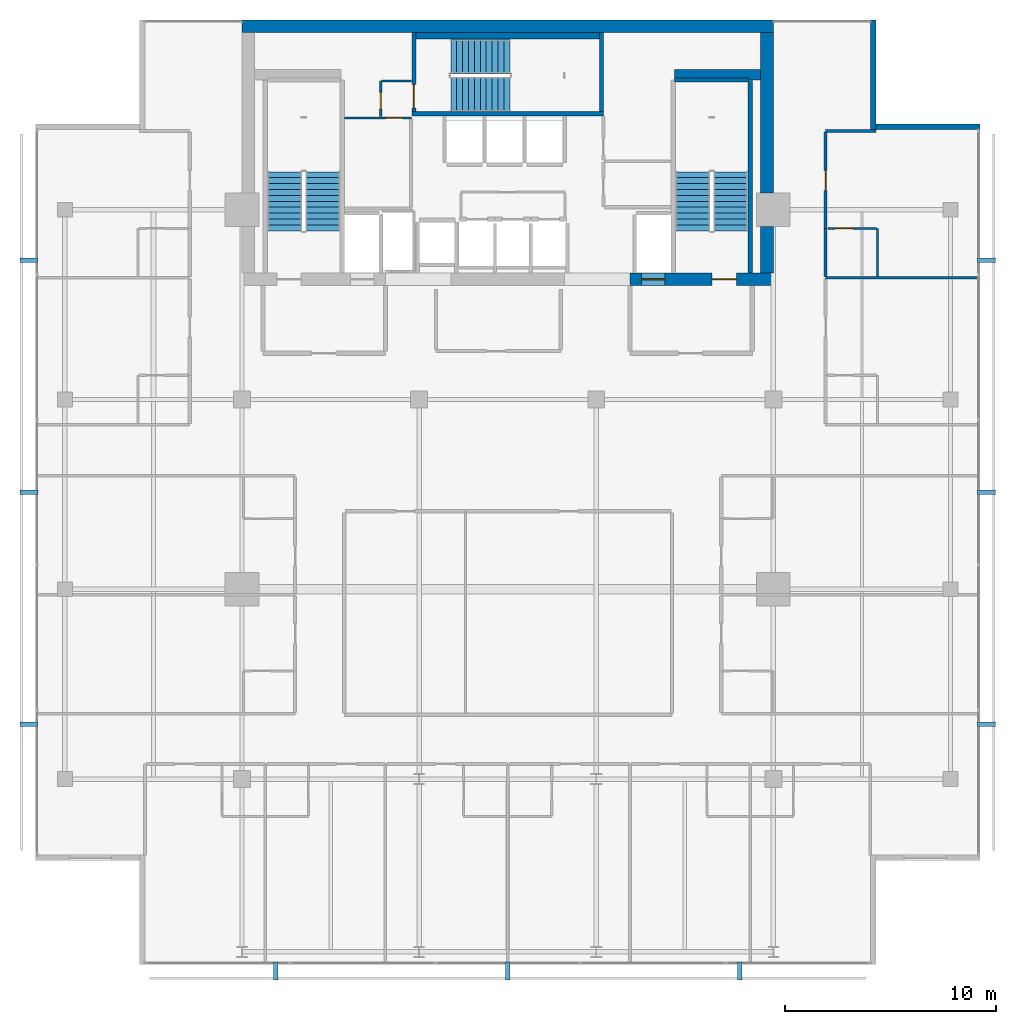
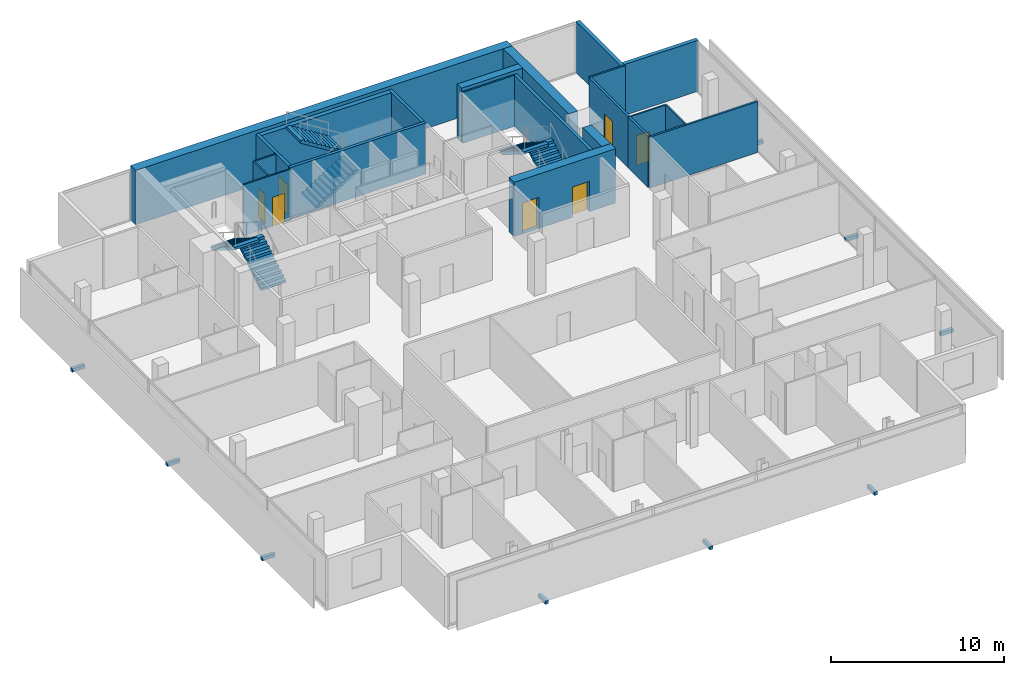
# One storey, part 23 of 25: 22 walls, 9 discrete accessories, 7 doors, 6 stair flights, 7 openings, 3 elements without a shape of their own.
"""IFC4 building model written with IfcOpenShell, lengths in metres."""

from ifc_helpers import new_model, si_unit, direction, frame, frame_2d, origin, origin_2d, place, context, subcontext, project, spatial, polyline, rectangle, outline, extrude, material, layer, layer_set, type_object, element, fill, aggregate, save


model = new_model("IFC4")

# Units and contexts
model_context = context("Model", 3, precision=1e-05, world=origin(), true_north=direction((0.0, 1.0)))
body_context = subcontext(model_context, "Body", "Model", "MODEL_VIEW")
ifc_project = project(units=[si_unit("LENGTHUNIT", "METRE"), si_unit("AREAUNIT", "SQUARE_METRE"), si_unit("VOLUMEUNIT", "CUBIC_METRE"), si_unit("PLANEANGLEUNIT", "RADIAN"), si_unit("MASSUNIT", "GRAM", prefix="KILO")], contexts=[model_context])

# Site, building, storey
site_placement = place(None, origin())
site = spatial("IfcSite", under=ifc_project, at=site_placement, CompositionType="ELEMENT")
building_placement = place(site_placement, origin())
building = spatial("IfcBuilding", under=site, at=building_placement, Name="Maruvema Waterfront Hotel and Observation Tower", CompositionType="ELEMENT")
storey_placement = place(building_placement, frame((0.0, 0.0, 247.10009765625)))
storey = spatial("IfcBuildingStorey", under=building, at=storey_placement, Name="L60", CompositionType="ELEMENT", Elevation=247.10009765625)

# Wall
ifc_material_1 = material(Name="Twin-stud acoustic gypsum drywall", Category="gypsum")
ifc_layer_1 = layer(ifc_material_1, 0.14990234375, Name="Acoustic Corridor and Suite Demising Wall 150 mm")
ifc_layer_set_1 = layer_set([ifc_layer_1], Name="Twin-stud acoustic gypsum drywall")
wall_type_1 = type_object("IfcWallType", Name="Acoustic Corridor and Suite Demising Wall 150 mm", PredefinedType="PARTITIONING", material=ifc_layer_set_1)
wall_1_placement = place(storey_placement, frame((52.8798828125, 41.82861328125, 0.0), z_axis=(0.0, 0.0, 1.0), x_axis=(0.0, 1.0, 0.0)))
element("IfcWall", 1, at=wall_1_placement, inside=storey, type_object=wall_type_1, Name="L60 Bath L60-NE2 Wall 102", PredefinedType="PARTITIONING", context=body_context, shape_type="SweptSolid", body=[
    extrude(rectangle(XDim=2.2900390625, YDim=0.14990234375, at=frame_2d((1.14501953125, 0.0))), origin(), (0.0, 0.0, 1.0), 3.60986328125),
])

# Wall, opening, door
wall_2_placement = place(storey_placement, frame((52.8798828125, 44.11865234375, 0.0), z_axis=(0.0, 0.0, 1.0), x_axis=(0.0, 1.0, 0.0)))
wall_2 = element("IfcWall", 2, at=wall_2_placement, inside=storey, type_object=wall_type_1, Name="L60 Room L60-NE2 Corridor Wall 103", PredefinedType="PARTITIONING", context=body_context, shape_type="SweptSolid", body=[
    extrude(rectangle(XDim=4.558837890625, YDim=0.14990234375, at=frame_2d((2.279296875, 0.0))), origin(), (0.0, 0.0, 1.0), 3.60986328125),
])
opening_1_placement = place(wall_2_placement, frame((1.804443359375, 0.0, 0.0)))
opening_1 = element("IfcOpeningElement", 3, at=opening_1_placement, cuts=wall_2, Name="Opening DR-095", PredefinedType="OPENING", context=body_context, shape_type="SweptSolid", body=[
    extrude(rectangle(XDim=0.949951171875, YDim=2.14990234375, at=frame_2d((0.47509765625, 1.074951171875))), frame((0.0, 0.0849609375, 0.0), z_axis=(0.0, -1.0, 0.0), x_axis=(1.0, 0.0, 0.0)), (0.0, 0.0, 1.0), 0.169921875),
])
ifc_material_2 = material(Name="Acoustic solid-core hardwood timber leaf", Category="wood")
door_type_1 = type_object("IfcDoorType", Name="Guestroom Entrance Fire Door 950x2150 mm", OperationType="NOTDEFINED", PredefinedType="DOOR", material=ifc_material_2)
door_1_placement = place(opening_1_placement, frame((0.949951171875, 0.0, 0.0), z_axis=(0.0, 0.0, 1.0), x_axis=(-1.0, 0.0, 0.0)))
door_1 = element("IfcDoor", 4, at=door_1_placement, inside=storey, type_object=door_type_1, Name="L60 Room L60-NE2 Entrance Door", OperationType="SINGLE_SWING_RIGHT", OverallHeight=2.14990234375, OverallWidth=0.949951171875, PredefinedType="DOOR", context=body_context, shape_type="SweptSolid", body=[
    extrude(rectangle(XDim=0.949951171875, YDim=2.14990234375, at=frame_2d((0.47509765625, 1.074951171875))), frame((0.0, 0.02490234375, 0.0), z_axis=(0.0, -1.0, 0.0), x_axis=(1.0, 0.0, 0.0)), (0.0, 0.0, 1.0), 0.050048828125),
])
fill(opening_1, door_1)

# Walls
ifc_material_3 = material(Name="Precast concrete C45/55", Category="concrete")
ifc_layer_2 = layer(ifc_material_3, 0.300048828125, Name="Core Shaft Furring Wall 300 mm")
ifc_layer_set_2 = layer_set([ifc_layer_2], Name="Precast concrete C45/55")
wall_type_2 = type_object("IfcWallType", Name="Core Shaft Furring Wall 300 mm", PredefinedType="SOLIDWALL", material=ifc_layer_set_2)
wall_3_placement = place(storey_placement, frame((33.449951171875, 53.25, 0.0), z_axis=(0.0, 0.0, 1.0), x_axis=(1.0, 0.0, 0.0)))
element("IfcWall", 5, at=wall_3_placement, inside=storey, type_object=wall_type_2, Name="L60 Stairwell ST-02 North Furring Wall", PredefinedType="SOLIDWALL", context=body_context, shape_type="SweptSolid", body=[
    extrude(rectangle(XDim=8.699951171875, YDim=0.300048828125, at=frame_2d((4.35009765625, 0.0))), origin(), (0.0, 0.0, 1.0), 3.60986328125),
])
ifc_material_4 = material(Name="Precast concrete C45/55", Category="concrete")
ifc_layer_3 = layer(ifc_material_4, 0.199951171875, Name="Core Shaft and Stairwell Enclosure Wall 200 mm")
ifc_layer_set_3 = layer_set([ifc_layer_3], Name="Precast concrete C45/55")
wall_type_3 = type_object("IfcWallType", Name="Core Shaft and Stairwell Enclosure Wall 200 mm", PredefinedType="SOLIDWALL", material=ifc_layer_set_3)
wall_4_placement = place(storey_placement, frame((33.25, 49.550048828125, 0.0), z_axis=(0.0, 0.0, 1.0), x_axis=(1.0, 0.0, 0.0)))
element("IfcWall", 6, at=wall_4_placement, inside=storey, type_object=wall_type_3, Name="L60 Stairwell ST-02 Shaft Wall", PredefinedType="SOLIDWALL", context=body_context, shape_type="SweptSolid", body=[
    extrude(rectangle(XDim=9.10009765625, YDim=0.199951171875, at=frame_2d((4.550048828125, 0.0))), origin(), (0.0, 0.0, 1.0), 3.60986328125),
])
wall_5_placement = place(storey_placement, frame((42.25, 49.64990234375, 0.0), z_axis=(0.0, 0.0, 1.0), x_axis=(0.0, 1.0, 0.0)))
element("IfcWall", 7, at=wall_5_placement, inside=storey, type_object=wall_type_3, Name="L60 Stairwell ST-02 Shaft Wall", PredefinedType="SOLIDWALL", context=body_context, shape_type="SweptSolid", body=[
    extrude(rectangle(XDim=3.75, YDim=0.199951171875, at=frame_2d((1.875, 0.0))), origin(), (0.0, 0.0, 1.0), 3.60986328125),
])

# Wall, opening, door
wall_6_placement = place(storey_placement, frame((33.35009765625, 49.64990234375, 0.0), z_axis=(0.0, 0.0, 1.0), x_axis=(0.0, 1.0, 0.0)))
wall_6 = element("IfcWall", 8, at=wall_6_placement, inside=storey, type_object=wall_type_3, Name="L60 Stairwell ST-02 Shaft Wall", PredefinedType="SOLIDWALL", context=body_context, shape_type="SweptSolid", body=[
    extrude(rectangle(XDim=3.75, YDim=0.199951171875, at=frame_2d((1.875, 0.0))), origin(), (0.0, 0.0, 1.0), 3.60986328125),
])
opening_2_placement = place(wall_6_placement, frame((0.179931640625, 0.0, 0.0)))
opening_2 = element("IfcOpeningElement", 9, at=opening_2_placement, cuts=wall_6, Name="Opening SD-02", PredefinedType="OPENING", context=body_context, shape_type="SweptSolid", body=[
    extrude(rectangle(XDim=1.10009765625, YDim=2.14990234375, at=frame_2d((0.550048828125, 1.074951171875))), frame((0.0, 0.10986328125, 0.0), z_axis=(0.0, -1.0, 0.0), x_axis=(1.0, 0.0, 0.0)), (0.0, 0.0, 1.0), 0.219970703125),
])
ifc_material_5 = material(Name="Fire-rated galvanised steel leaf", Category="steel")
door_type_2 = type_object("IfcDoorType", Name="Central Exit Stair Fire Door 1100x2150 mm", OperationType="NOTDEFINED", PredefinedType="DOOR", material=ifc_material_5)
door_2_placement = place(opening_2_placement, frame((1.10009765625, 0.0, 0.0), z_axis=(0.0, 0.0, 1.0), x_axis=(-1.0, 0.0, 0.0)))
door_2 = element("IfcDoor", 10, at=door_2_placement, inside=storey, type_object=door_type_2, Name="L60 Exit Stair ST-02 Fire Door", OperationType="SINGLE_SWING_LEFT", OverallHeight=2.14990234375, OverallWidth=1.10009765625, PredefinedType="DOOR", context=body_context, shape_type="SweptSolid", body=[
    extrude(rectangle(XDim=1.10009765625, YDim=2.14990234375, at=frame_2d((0.550048828125, 1.074951171875))), frame((0.0, 0.02490234375, 0.0), z_axis=(0.0, -1.0, 0.0), x_axis=(1.0, 0.0, 0.0)), (0.0, 0.0, 1.0), 0.050048828125),
])
fill(opening_2, door_2)

# Walls
wall_7_placement = place(storey_placement, frame((49.300048828125, 42.0, 0.0), z_axis=(0.0, 0.0, 1.0), x_axis=(0.0, 1.0, 0.0)))
element("IfcWall", 11, at=wall_7_placement, inside=storey, type_object=wall_type_3, Name="L60 Stairwell ST-03 Shaft Lining Wall", PredefinedType="SOLIDWALL", context=body_context, shape_type="SweptSolid", body=[
    extrude(rectangle(XDim=9.1201171875, YDim=0.199951171875, at=frame_2d((4.56005859375, 0.0))), origin(), (0.0, 0.0, 1.0), 3.60986328125),
])
wall_8_placement = place(storey_placement, frame((45.719970703125, 51.14990234375, 0.0), z_axis=(0.0, 0.0, 1.0), x_axis=(1.0, 0.0, 0.0)))
element("IfcWall", 12, at=wall_8_placement, inside=storey, type_object=wall_type_3, Name="L60 Stairwell ST-03 Shaft Lining Wall", PredefinedType="SOLIDWALL", context=body_context, shape_type="SweptSolid", body=[
    extrude(rectangle(XDim=3.5, YDim=0.199951171875, at=frame_2d((1.75, 0.0))), origin(), (0.0, 0.0, 1.0), 3.60986328125),
])
ifc_material_6 = material(Name="Concrete C70/85", Category="concrete")
ifc_layer_4 = layer(ifc_material_6, 0.5, Name="Core Shear Wall 500 mm")
ifc_layer_set_4 = layer_set([ifc_layer_4], Name="Concrete C70/85")
wall_type_4 = type_object("IfcWallType", Name="Core Shear Wall 500 mm", PredefinedType="SHEAR", material=ifc_layer_set_4)
wall_9_placement = place(storey_placement, frame((45.699951171875, 51.39990234375, 0.0), z_axis=(0.0, 0.0, 1.0), x_axis=(1.0, 0.0, 0.0)))
element("IfcWall", 13, at=wall_9_placement, inside=storey, type_object=wall_type_4, Name="L60 Internal Core Shear Wall NE 500 mm", PredefinedType="SHEAR", context=body_context, shape_type="SweptSolid", body=[
    extrude(rectangle(XDim=4.10009765625, YDim=0.5, at=frame_2d((2.050048828125, 0.0))), origin(), (0.0, 0.0, 1.0), 3.849853515625),
])
ifc_material_7 = material(Name="Concrete C60/75", Category="concrete")
ifc_layer_5 = layer(ifc_material_7, 0.60009765625, Name="Core Shear Wall 600 mm")
ifc_layer_set_5 = layer_set([ifc_layer_5], Name="Concrete C60/75")
wall_type_5 = type_object("IfcWallType", Name="Core Shear Wall 600 mm", PredefinedType="SHEAR", material=ifc_layer_set_5)
wall_10_placement = place(storey_placement, frame((25.199951171875, 53.699951171875, 0.0), z_axis=(0.0, 0.0, 1.0), x_axis=(1.0, 0.0, 0.0)))
element("IfcWall", 14, at=wall_10_placement, inside=storey, type_object=wall_type_5, Name="L60 North Core Shear Wall", PredefinedType="SHEAR", context=body_context, shape_type="SweptSolid", body=[
    extrude(rectangle(XDim=25.199951171875, YDim=0.60009765625, at=frame_2d((12.60009765625, 0.0))), origin(), (0.0, 0.0, 1.0), 3.849853515625),
])

# Wall, openings, doors
wall_11_placement = place(storey_placement, frame((43.60009765625, 41.699951171875, 0.0), z_axis=(0.0, 0.0, 1.0), x_axis=(1.0, 0.0, 0.0)))
wall_11 = element("IfcWall", 15, at=wall_11_placement, inside=storey, type_object=wall_type_5, Name="L60 South-East Core Shear Wall", PredefinedType="SHEAR", context=body_context, shape_type="SweptSolid", body=[
    extrude(rectangle(XDim=6.7998046875, YDim=0.60009765625, at=frame_2d((3.39990234375, 0.0))), origin(), (0.0, 0.0, 1.0), 3.849853515625),
])
opening_3_placement = place(wall_11_placement, frame((3.89990234375, 0.0, 0.0)))
opening_3 = element("IfcOpeningElement", 16, at=opening_3_placement, cuts=wall_11, Name="Opening SD-01", PredefinedType="OPENING", context=body_context, shape_type="SweptSolid", body=[
    extrude(rectangle(XDim=1.14990234375, YDim=2.14990234375, at=frame_2d((0.574951171875, 1.074951171875))), frame((0.0, 0.31005859375, 0.0), z_axis=(0.0, -1.0, 0.0), x_axis=(1.0, 0.0, 0.0)), (0.0, 0.0, 1.0), 0.6201171875),
])
opening_4_placement = place(wall_11_placement, frame((0.550048828125, 0.0, 0.0)))
opening_4 = element("IfcOpeningElement", 17, at=opening_4_placement, cuts=wall_11, Name="Opening LD-03", PredefinedType="OPENING", context=body_context, shape_type="SweptSolid", body=[
    extrude(rectangle(XDim=1.10009765625, YDim=2.199951171875, at=frame_2d((0.550048828125, 1.10009765625))), frame((0.0, 0.31005859375, 0.0), z_axis=(0.0, -1.0, 0.0), x_axis=(1.0, 0.0, 0.0)), (0.0, 0.0, 1.0), 0.6201171875),
])
ifc_material_8 = material(Name="Fire-rated galvanised steel leaf", Category="steel")
door_type_3 = type_object("IfcDoorType", Name="Exit Stair Fire Door 1150x2150 mm", OperationType="NOTDEFINED", PredefinedType="DOOR", material=ifc_material_8)
door_3_placement = place(opening_3_placement, origin())
door_3 = element("IfcDoor", 18, at=door_3_placement, inside=storey, type_object=door_type_3, Name="L60 Exit Stair ST-03 Fire Door", OperationType="SINGLE_SWING_RIGHT", OverallHeight=2.14990234375, OverallWidth=1.14990234375, PredefinedType="DOOR", context=body_context, shape_type="SweptSolid", body=[
    extrude(rectangle(XDim=1.14990234375, YDim=2.14990234375, at=frame_2d((0.574951171875, 1.074951171875))), frame((0.0, 0.02490234375, 0.0), z_axis=(0.0, -1.0, 0.0), x_axis=(1.0, 0.0, 0.0)), (0.0, 0.0, 1.0), 0.050048828125),
])
fill(opening_3, door_3)
ifc_material_9 = material(Name="Brushed stainless steel Grade 316", Category="steel")
door_type_4 = type_object("IfcDoorType", Name="Firefighting Lift Sliding Landing Door 1100x2200 mm", OperationType="SLIDING_TO_LEFT", PredefinedType="DOOR", material=ifc_material_9)
door_4_placement = place(opening_4_placement, frame((1.10009765625, 0.0, 0.0), z_axis=(0.0, 0.0, 1.0), x_axis=(-1.0, 0.0, 0.0)))
door_4 = element("IfcDoor", 19, at=door_4_placement, inside=storey, type_object=door_type_4, Name="L60 Firefighting Lift FL-02 Landing Door", OperationType="SLIDING_TO_LEFT", OverallHeight=2.199951171875, OverallWidth=1.10009765625, PredefinedType="DOOR", context=body_context, shape_type="SweptSolid", body=[
    extrude(rectangle(XDim=1.10009765625, YDim=2.199951171875, at=frame_2d((0.550048828125, 1.10009765625))), frame((0.0, 0.02490234375, 0.0), z_axis=(0.0, -1.0, 0.0), x_axis=(1.0, 0.0, 0.0)), (0.0, 0.0, 1.0), 0.050048828125),
])
fill(opening_4, door_4)

# Walls
wall_12_placement = place(storey_placement, frame((50.10009765625, 42.0, 0.0), z_axis=(0.0, 0.0, 1.0), x_axis=(0.0, 1.0, 0.0)))
element("IfcWall", 20, at=wall_12_placement, inside=storey, type_object=wall_type_5, Name="L60 East-South Core Shear Wall", PredefinedType="SHEAR", context=body_context, shape_type="SweptSolid", body=[
    extrude(rectangle(XDim=2.199951171875, YDim=0.60009765625, at=frame_2d((1.10009765625, 0.0))), origin(), (0.0, 0.0, 1.0), 3.849853515625),
])
wall_13_placement = place(storey_placement, frame((50.10009765625, 45.800048828125, 0.0), z_axis=(0.0, 0.0, 1.0), x_axis=(0.0, 1.0, 0.0)))
element("IfcWall", 21, at=wall_13_placement, inside=storey, type_object=wall_type_5, Name="L60 East-North Core Shear Wall", PredefinedType="SHEAR", context=body_context, shape_type="SweptSolid", body=[
    extrude(rectangle(XDim=7.599853515625, YDim=0.60009765625, at=frame_2d((3.7998046875, 0.0))), origin(), (0.0, 0.0, 1.0), 3.849853515625),
])

# Wall, opening, door
ifc_material_10 = material(Name="Moisture-resistant cement-board drywall", Category="gypsum")
ifc_layer_6 = layer(ifc_material_10, 0.10009765625, Name="En-Suite Moisture-Resistant Partition 100 mm")
ifc_layer_set_6 = layer_set([ifc_layer_6], Name="Moisture-resistant cement-board drywall")
wall_type_6 = type_object("IfcWallType", Name="En-Suite Moisture-Resistant Partition 100 mm", PredefinedType="PARTITIONING", material=ifc_layer_set_6)
wall_14_placement = place(storey_placement, frame((30.06005859375, 49.360107421875, 0.0), z_axis=(0.0, 0.0, 1.0), x_axis=(1.0, 0.0, 0.0)))
wall_14 = element("IfcWall", 22, at=wall_14_placement, inside=storey, type_object=wall_type_6, Name="L60 Freed B1 Mid Wall 015", PredefinedType="PARTITIONING", context=body_context, shape_type="SweptSolid", body=[
    extrude(rectangle(XDim=3.179931640625, YDim=0.10009765625, at=frame_2d((1.58984375, 0.0))), origin(), (0.0, 0.0, 1.0), 3.60986328125),
])
opening_5_placement = place(wall_14_placement, frame((1.949951171875, 0.0, 0.0)))
opening_5 = element("IfcOpeningElement", 23, at=opening_5_placement, cuts=wall_14, Name="Opening DR-080", PredefinedType="OPENING", context=body_context, shape_type="SweptSolid", body=[
    extrude(rectangle(XDim=0.800048828125, YDim=2.050048828125, at=frame_2d((0.39990234375, 1.02490234375))), frame((0.0, 0.06005859375, 0.0), z_axis=(0.0, -1.0, 0.0), x_axis=(1.0, 0.0, 0.0)), (0.0, 0.0, 1.0), 0.1201171875),
])
ifc_material_11 = material(Name="Powder-coated steel access leaf", Category="steel")
door_type_5 = type_object("IfcDoorType", Name="Riser and Service Cupboard Door 800x2050 mm", OperationType="NOTDEFINED", PredefinedType="DOOR", material=ifc_material_11)
door_5_placement = place(opening_5_placement, origin())
door_5 = element("IfcDoor", 24, at=door_5_placement, inside=storey, type_object=door_type_5, Name="L60 Housekeeping and Linen Room Door", OperationType="SINGLE_SWING_RIGHT", OverallHeight=2.050048828125, OverallWidth=0.800048828125, PredefinedType="DOOR", context=body_context, shape_type="SweptSolid", body=[
    extrude(rectangle(XDim=0.800048828125, YDim=2.050048828125, at=frame_2d((0.39990234375, 1.02490234375))), frame((0.0, 0.02490234375, 0.0), z_axis=(0.0, -1.0, 0.0), x_axis=(1.0, 0.0, 0.0)), (0.0, 0.0, 1.0), 0.050048828125),
])
fill(opening_5, door_5)

wall_15_placement = place(storey_placement, frame((31.780029296875, 49.419921875, 0.0), z_axis=(0.0, 0.0, 1.0), x_axis=(0.0, 1.0, 0.0)))
wall_15 = element("IfcWall", 25, at=wall_15_placement, inside=storey, type_object=wall_type_6, Name="L60 Freed B1 NW East Wall 016", PredefinedType="PARTITIONING", context=body_context, shape_type="SweptSolid", body=[
    extrude(rectangle(XDim=1.68017578125, YDim=0.10009765625, at=frame_2d((0.840087890625, 0.0))), origin(), (0.0, 0.0, 1.0), 3.60986328125),
])
opening_6_placement = place(wall_15_placement, frame((0.35009765625, 0.0, 0.0)))
opening_6 = element("IfcOpeningElement", 26, at=opening_6_placement, cuts=wall_15, Name="Opening DR-080", PredefinedType="OPENING", context=body_context, shape_type="SweptSolid", body=[
    extrude(rectangle(XDim=0.800048828125, YDim=2.050048828125, at=frame_2d((0.39990234375, 1.02490234375))), frame((0.0, 0.06005859375, 0.0), z_axis=(0.0, -1.0, 0.0), x_axis=(1.0, 0.0, 0.0)), (0.0, 0.0, 1.0), 0.1201171875),
])
door_6_placement = place(opening_6_placement, origin())
door_6 = element("IfcDoor", 27, at=door_6_placement, inside=storey, type_object=door_type_5, Name="L60 Guest Floor Pantry Door", OperationType="SINGLE_SWING_LEFT", OverallHeight=2.050048828125, OverallWidth=0.800048828125, PredefinedType="DOOR", context=body_context, shape_type="SweptSolid", body=[
    extrude(rectangle(XDim=0.800048828125, YDim=2.050048828125, at=frame_2d((0.39990234375, 1.02490234375))), frame((0.0, 0.02490234375, 0.0), z_axis=(0.0, -1.0, 0.0), x_axis=(1.0, 0.0, 0.0)), (0.0, 0.0, 1.0), 0.050048828125),
])
fill(opening_6, door_6)

# Walls
wall_16_placement = place(storey_placement, frame((31.820068359375, 51.10009765625, 0.0), z_axis=(0.0, 0.0, 1.0), x_axis=(1.0, 0.0, 0.0)))
element("IfcWall", 28, at=wall_16_placement, inside=storey, type_object=wall_type_6, Name="L60 Freed B1 Vestibule North Wall 017", PredefinedType="PARTITIONING", context=body_context, shape_type="SweptSolid", body=[
    extrude(rectangle(XDim=1.419921875, YDim=0.10009765625, at=frame_2d((0.7099609375, 0.0))), origin(), (0.0, 0.0, 1.0), 3.60986328125),
])
wall_17_placement = place(storey_placement, frame((55.330078125, 41.82861328125, 0.0), z_axis=(0.0, 0.0, 1.0), x_axis=(0.0, 1.0, 0.0)))
element("IfcWall", 29, at=wall_17_placement, inside=storey, type_object=wall_type_6, Name="L60 En-Suite L60-NE2 E 104", PredefinedType="PARTITIONING", context=body_context, shape_type="SweptSolid", body=[
    extrude(rectangle(XDim=2.2900390625, YDim=0.10009765625, at=frame_2d((1.14501953125, 0.0))), origin(), (0.0, 0.0, 1.0), 3.60986328125),
])

# Wall, opening, door
wall_18_placement = place(storey_placement, frame((52.97998046875, 44.11865234375, 0.0), z_axis=(0.0, 0.0, 1.0), x_axis=(1.0, 0.0, 0.0)))
wall_18 = element("IfcWall", 30, at=wall_18_placement, inside=storey, type_object=wall_type_6, Name="L60 En-Suite L60-NE2 N 105", PredefinedType="PARTITIONING", context=body_context, shape_type="SweptSolid", body=[
    extrude(rectangle(XDim=2.300048828125, YDim=0.10009765625, at=frame_2d((1.14990234375, 0.0))), origin(), (0.0, 0.0, 1.0), 3.60986328125),
])
opening_7_placement = place(wall_18_placement, frame((0.35009765625, 0.0, 0.0)))
opening_7 = element("IfcOpeningElement", 31, at=opening_7_placement, cuts=wall_18, Name="Opening DR-085", PredefinedType="OPENING", context=body_context, shape_type="SweptSolid", body=[
    extrude(rectangle(XDim=0.85009765625, YDim=2.10009765625, at=frame_2d((0.425048828125, 1.050048828125))), frame((0.0, 0.06005859375, 0.0), z_axis=(0.0, -1.0, 0.0), x_axis=(1.0, 0.0, 0.0)), (0.0, 0.0, 1.0), 0.1201171875),
])
ifc_material_12 = material(Name="Moisture-resistant solid timber leaf", Category="wood")
door_type_6 = type_object("IfcDoorType", Name="En-Suite Bathroom Door 850x2100 mm", OperationType="NOTDEFINED", PredefinedType="DOOR", material=ifc_material_12)
door_7_placement = place(opening_7_placement, origin())
door_7 = element("IfcDoor", 32, at=door_7_placement, inside=storey, type_object=door_type_6, Name="L60 En-Suite L60-NE2 Door", OperationType="SINGLE_SWING_LEFT", OverallHeight=2.10009765625, OverallWidth=0.85009765625, PredefinedType="DOOR", context=body_context, shape_type="SweptSolid", body=[
    extrude(rectangle(XDim=0.85009765625, YDim=2.10009765625, at=frame_2d((0.425048828125, 1.050048828125))), frame((0.0, 0.02490234375, 0.0), z_axis=(0.0, -1.0, 0.0), x_axis=(1.0, 0.0, 0.0)), (0.0, 0.0, 1.0), 0.050048828125),
])
fill(opening_7, door_7)

# Walls
ifc_material_13 = material(Name="Precast concrete C45/55 with honed Pernambuco granite facing", Category="masonry")
ifc_layer_7 = layer(ifc_material_13, 0.260009765625, Name="Exterior Granite Clad Spandrel and Pier Wall 260 mm")
ifc_layer_set_7 = layer_set([ifc_layer_7], Name="Precast concrete C45/55 with honed Pernambuco granite facing")
wall_type_7 = type_object("IfcWallType", Name="Exterior Granite Clad Spandrel and Pier Wall 260 mm", PredefinedType="SOLIDWALL", material=ifc_layer_set_7)
for number, where, z_axis, x_axis, name in (
    (33, (55.1298828125, 54.0, 0.0), (0.0, 0.0, 1.0), (0.0, -1.0, 0.0), "L60 Corner Notch Granite Pier Wall NE1"),
    (34, (55.0, 48.929931640625, 0.0), (0.0, 0.0, 1.0), (1.0, 0.0, 0.0), "L60 Corner Notch Granite Pier Wall NE2"),
):
    element("IfcWall", number, at=place(storey_placement, frame(where, z_axis=z_axis, x_axis=x_axis)), inside=storey, type_object=wall_type_7, Name=name, PredefinedType="SOLIDWALL", context=body_context, shape_type="SweptSolid", body=[
        extrude(rectangle(XDim=5.199951171875, YDim=0.260009765625, at=frame_2d((2.60009765625, 0.0))), origin(), (0.0, 0.0, 1.0), 3.60986328125),
    ])
ifc_material_14 = material(Name="Acoustic gypsum plasterboard drywall", Category="gypsum")
ifc_layer_8 = layer(ifc_material_14, 0.125, Name="Guestroom Acoustic Demising Wall 125 mm")
ifc_layer_set_8 = layer_set([ifc_layer_8], Name="Acoustic gypsum plasterboard drywall")
wall_type_8 = type_object("IfcWallType", Name="Guestroom Acoustic Demising Wall 125 mm", PredefinedType="PARTITIONING", material=ifc_layer_set_8)
wall_19_placement = place(storey_placement, frame((52.8798828125, 48.737548828125, 0.0), z_axis=(0.0, 0.0, 1.0), x_axis=(1.0, 0.0, 0.0)))
element("IfcWall", 35, at=wall_19_placement, inside=storey, type_object=wall_type_8, Name="L60 Z3 NE Top End 087", PredefinedType="PARTITIONING", context=body_context, shape_type="SweptSolid", body=[
    extrude(rectangle(XDim=2.380126953125, YDim=0.125, at=frame_2d((1.18994140625, 0.0))), origin(), (0.0, 0.0, 1.0), 3.60986328125),
])
wall_20_placement = place(storey_placement, frame((52.8798828125, 41.768798828125, 0.0), z_axis=(0.0, 0.0, 1.0), x_axis=(1.0, 0.0, 0.0)))
element("IfcWall", 36, at=wall_20_placement, inside=storey, type_object=wall_type_8, Name="L60 Z3 NE Demising 2 097", PredefinedType="PARTITIONING", context=body_context, shape_type="SweptSolid", body=[
    extrude(rectangle(XDim=7.22021484375, YDim=0.125, at=frame_2d((3.610107421875, 0.0))), origin(), (0.0, 0.0, 1.0), 3.60986328125),
])

# Stair, stair flights
ifc_material_15 = material(Name="Concrete C50/60", Category="concrete")
stair_type = type_object("IfcStairType", Name="Dogleg Exit Stair 1650 mm (22R x 175.0 mm)", PredefinedType="HALF_TURN_STAIR", material=ifc_material_15)
stair_1_placement = place(storey_placement, origin())
stair_1 = element("IfcStair", 37, at=stair_1_placement, inside=storey, type_object=stair_type, Name="L60 ST-01", PredefinedType="HALF_TURN_STAIR")
ifc_material_16 = material(Name="Concrete C50/60", Category="concrete")
stair_flight_type = type_object("IfcStairFlightType", Name="Reinforced Concrete Stair Flight 1650 mm (11R x 175.0 mm)", PredefinedType="STRAIGHT", material=ifc_material_16)
stair_flight_1_placement = place(storey_placement, frame((29.02490234375, 44.0, 0.0), z_axis=(0.0, 0.0, 1.0), x_axis=(0.0, 1.0, 0.0)))
stair_flight_1 = element("IfcStairFlight", 38, at=stair_flight_1_placement, type_object=stair_flight_type, Name="ST-01 flight 1", NumberOfRisers=11, NumberOfTreads=10, PredefinedType="STRAIGHT", RiserHeight=0.175, TreadLength=0.28, context=body_context, shape_type="SweptSolid", body=[
    extrude(outline(polyline([(0.0, 0.0), (0.0, 0.175048828125), (0.280029296875, 0.175048828125), (0.280029296875, 0.35009765625), (0.56005859375, 0.35009765625), (0.56005859375, 0.52490234375), (0.840087890625, 0.52490234375), (0.840087890625, 0.699951171875), (1.1201171875, 0.699951171875), (1.1201171875, 0.875), (1.39990234375, 0.875), (1.39990234375, 1.050048828125), (1.679931640625, 1.050048828125), (1.679931640625, 1.22509765625), (1.9599609375, 1.22509765625), (1.9599609375, 1.39990234375), (2.239990234375, 1.39990234375), (2.239990234375, 1.574951171875), (2.52001953125, 1.574951171875), (2.52001953125, 1.75), (2.800048828125, 1.75), (2.800048828125, 1.925048828125), (2.800048828125, 1.5732421875), (0.28271484375, 0.0), (0.0, 0.0)])), frame((0.0, 0.824951171875, 0.0), z_axis=(0.0, -1.0, 0.0), x_axis=(1.0, 0.0, 0.0)), (0.0, 0.0, 1.0), 1.64990234375),
])
stair_flight_2_placement = place(storey_placement, frame((27.22509765625, 46.800048828125, 1.9248046875), z_axis=(0.0, 0.0, 1.0), x_axis=(0.0, -1.0, 0.0)))
stair_flight_2 = element("IfcStairFlight", 39, at=stair_flight_2_placement, type_object=stair_flight_type, Name="ST-01 flight 2", NumberOfRisers=11, NumberOfTreads=10, PredefinedType="STRAIGHT", RiserHeight=0.175, TreadLength=0.28, context=body_context, shape_type="SweptSolid", body=[
    extrude(outline(polyline([(0.0, 0.0), (0.0, 0.175048828125), (0.280029296875, 0.175048828125), (0.280029296875, 0.35009765625), (0.56005859375, 0.35009765625), (0.56005859375, 0.52490234375), (0.840087890625, 0.52490234375), (0.840087890625, 0.699951171875), (1.1201171875, 0.699951171875), (1.1201171875, 0.875), (1.39990234375, 0.875), (1.39990234375, 1.050048828125), (1.679931640625, 1.050048828125), (1.679931640625, 1.22509765625), (1.9599609375, 1.22509765625), (1.9599609375, 1.39990234375), (2.239990234375, 1.39990234375), (2.239990234375, 1.574951171875), (2.52001953125, 1.574951171875), (2.52001953125, 1.75), (2.800048828125, 1.75), (2.800048828125, 1.925048828125), (2.800048828125, 1.5732421875), (0.28271484375, 0.0), (0.0, 0.0)])), frame((0.0, 0.824951171875, 0.0), z_axis=(0.0, -1.0, 0.0), x_axis=(1.0, 0.0, 0.0)), (0.0, 0.0, 1.0), 1.64990234375),
])
aggregate(stair_1, [stair_flight_1, stair_flight_2])

stair_2_placement = place(storey_placement, origin())
stair_2 = element("IfcStair", 40, at=stair_2_placement, inside=storey, type_object=stair_type, Name="L60 ST-02", PredefinedType="HALF_TURN_STAIR")
stair_flight_3_placement = place(storey_placement, frame((35.10009765625, 50.47509765625, 0.0), z_axis=(0.0, 0.0, 1.0), x_axis=(1.0, 0.0, 0.0)))
stair_flight_3 = element("IfcStairFlight", 41, at=stair_flight_3_placement, type_object=stair_flight_type, Name="ST-02 flight 1", NumberOfRisers=11, NumberOfTreads=10, PredefinedType="STRAIGHT", RiserHeight=0.175, TreadLength=0.28, context=body_context, shape_type="SweptSolid", body=[
    extrude(outline(polyline([(0.0, 0.0), (0.0, 0.175048828125), (0.280029296875, 0.175048828125), (0.280029296875, 0.35009765625), (0.56005859375, 0.35009765625), (0.56005859375, 0.52490234375), (0.840087890625, 0.52490234375), (0.840087890625, 0.699951171875), (1.1201171875, 0.699951171875), (1.1201171875, 0.875), (1.39990234375, 0.875), (1.39990234375, 1.050048828125), (1.679931640625, 1.050048828125), (1.679931640625, 1.22509765625), (1.9599609375, 1.22509765625), (1.9599609375, 1.39990234375), (2.239990234375, 1.39990234375), (2.239990234375, 1.574951171875), (2.52001953125, 1.574951171875), (2.52001953125, 1.75), (2.800048828125, 1.75), (2.800048828125, 1.925048828125), (2.800048828125, 1.5732421875), (0.28271484375, 0.0), (0.0, 0.0)])), frame((0.0, 0.824951171875, 0.0), z_axis=(0.0, -1.0, 0.0), x_axis=(1.0, 0.0, 0.0)), (0.0, 0.0, 1.0), 1.64990234375),
])
stair_flight_4_placement = place(storey_placement, frame((37.89990234375, 52.27490234375, 1.9248046875), z_axis=(0.0, 0.0, 1.0), x_axis=(-1.0, 0.0, 0.0)))
stair_flight_4 = element("IfcStairFlight", 42, at=stair_flight_4_placement, type_object=stair_flight_type, Name="ST-02 flight 2", NumberOfRisers=11, NumberOfTreads=10, PredefinedType="STRAIGHT", RiserHeight=0.175, TreadLength=0.28, context=body_context, shape_type="SweptSolid", body=[
    extrude(outline(polyline([(0.0, 0.0), (0.0, 0.175048828125), (0.280029296875, 0.175048828125), (0.280029296875, 0.35009765625), (0.56005859375, 0.35009765625), (0.56005859375, 0.52490234375), (0.840087890625, 0.52490234375), (0.840087890625, 0.699951171875), (1.1201171875, 0.699951171875), (1.1201171875, 0.875), (1.39990234375, 0.875), (1.39990234375, 1.050048828125), (1.679931640625, 1.050048828125), (1.679931640625, 1.22509765625), (1.9599609375, 1.22509765625), (1.9599609375, 1.39990234375), (2.239990234375, 1.39990234375), (2.239990234375, 1.574951171875), (2.52001953125, 1.574951171875), (2.52001953125, 1.75), (2.800048828125, 1.75), (2.800048828125, 1.925048828125), (2.800048828125, 1.5732421875), (0.28271484375, 0.0), (0.0, 0.0)])), frame((0.0, 0.824951171875, 0.0), z_axis=(0.0, -1.0, 0.0), x_axis=(1.0, 0.0, 0.0)), (0.0, 0.0, 1.0), 1.64990234375),
])
aggregate(stair_2, [stair_flight_3, stair_flight_4])

stair_3_placement = place(storey_placement, origin())
stair_3 = element("IfcStair", 43, at=stair_3_placement, inside=storey, type_object=stair_type, Name="L60 ST-03", PredefinedType="HALF_TURN_STAIR")
stair_flight_5_placement = place(storey_placement, frame((48.375, 44.0, 0.0), z_axis=(0.0, 0.0, 1.0), x_axis=(0.0, 1.0, 0.0)))
stair_flight_5 = element("IfcStairFlight", 44, at=stair_flight_5_placement, type_object=stair_flight_type, Name="ST-03 flight 1", NumberOfRisers=11, NumberOfTreads=10, PredefinedType="STRAIGHT", RiserHeight=0.175, TreadLength=0.28, context=body_context, shape_type="SweptSolid", body=[
    extrude(outline(polyline([(0.0, 0.0), (0.0, 0.175048828125), (0.280029296875, 0.175048828125), (0.280029296875, 0.35009765625), (0.56005859375, 0.35009765625), (0.56005859375, 0.52490234375), (0.840087890625, 0.52490234375), (0.840087890625, 0.699951171875), (1.1201171875, 0.699951171875), (1.1201171875, 0.875), (1.39990234375, 0.875), (1.39990234375, 1.050048828125), (1.679931640625, 1.050048828125), (1.679931640625, 1.22509765625), (1.9599609375, 1.22509765625), (1.9599609375, 1.39990234375), (2.239990234375, 1.39990234375), (2.239990234375, 1.574951171875), (2.52001953125, 1.574951171875), (2.52001953125, 1.75), (2.800048828125, 1.75), (2.800048828125, 1.925048828125), (2.800048828125, 1.5732421875), (0.28271484375, 0.0), (0.0, 0.0)])), frame((0.0, 0.824951171875, 0.0), z_axis=(0.0, -1.0, 0.0), x_axis=(1.0, 0.0, 0.0)), (0.0, 0.0, 1.0), 1.64990234375),
])
stair_flight_6_placement = place(storey_placement, frame((46.574951171875, 46.800048828125, 1.9248046875), z_axis=(0.0, 0.0, 1.0), x_axis=(0.0, -1.0, 0.0)))
stair_flight_6 = element("IfcStairFlight", 45, at=stair_flight_6_placement, type_object=stair_flight_type, Name="ST-03 flight 2", NumberOfRisers=11, NumberOfTreads=10, PredefinedType="STRAIGHT", RiserHeight=0.175, TreadLength=0.28, context=body_context, shape_type="SweptSolid", body=[
    extrude(outline(polyline([(0.0, 0.0), (0.0, 0.175048828125), (0.280029296875, 0.175048828125), (0.280029296875, 0.35009765625), (0.56005859375, 0.35009765625), (0.56005859375, 0.52490234375), (0.840087890625, 0.52490234375), (0.840087890625, 0.699951171875), (1.1201171875, 0.699951171875), (1.1201171875, 0.875), (1.39990234375, 0.875), (1.39990234375, 1.050048828125), (1.679931640625, 1.050048828125), (1.679931640625, 1.22509765625), (1.9599609375, 1.22509765625), (1.9599609375, 1.39990234375), (2.239990234375, 1.39990234375), (2.239990234375, 1.574951171875), (2.52001953125, 1.574951171875), (2.52001953125, 1.75), (2.800048828125, 1.75), (2.800048828125, 1.925048828125), (2.800048828125, 1.5732421875), (0.28271484375, 0.0), (0.0, 0.0)])), frame((0.0, 0.824951171875, 0.0), z_axis=(0.0, -1.0, 0.0), x_axis=(1.0, 0.0, 0.0)), (0.0, 0.0, 1.0), 1.64990234375),
])
aggregate(stair_3, [stair_flight_5, stair_flight_6])

# Discrete accessories
ifc_material_17 = material(Name="Duplex stainless steel Grade 2205", Category="steel")
discrete_accessory_type = type_object("IfcDiscreteAccessoryType", Name="Double-Skin Cavity Stainless Outrigger Bracket", PredefinedType="BRACKET", material=ifc_material_17)
for number, where, z_axis, x_axis, name in (
    (46, (26.7919921875, 8.89990234375, -0.14013671875), (0.0, 0.0, 1.0), (1.0, 0.0, 0.0), "L60 Outer Skin Support Bracket 1"),
    (47, (37.800048828125, 8.89990234375, -0.14013671875), (0.0, 0.0, 1.0), (1.0, 0.0, 0.0), "L60 Outer Skin Support Bracket 2"),
    (48, (48.80810546875, 8.89990234375, -0.14013671875), (0.0, 0.0, 1.0), (1.0, 0.0, 0.0), "L60 Outer Skin Support Bracket 3"),
    (49, (60.5, 20.592041015625, -0.14013671875), (0.0, 0.0, 1.0), (0.0, 1.0, 0.0), "L60 Outer Skin Support Bracket 1"),
    (50, (60.5, 31.60009765625, -0.14013671875), (0.0, 0.0, 1.0), (0.0, 1.0, 0.0), "L60 Outer Skin Support Bracket 2"),
    (51, (60.5, 42.60791015625, -0.14013671875), (0.0, 0.0, 1.0), (0.0, 1.0, 0.0), "L60 Outer Skin Support Bracket 3"),
    (52, (15.10009765625, 42.60791015625, -0.14013671875), (0.0, 0.0, 1.0), (0.0, -1.0, 0.0), "L60 Outer Skin Support Bracket 1"),
    (53, (15.10009765625, 31.60009765625, -0.14013671875), (0.0, 0.0, 1.0), (0.0, -1.0, 0.0), "L60 Outer Skin Support Bracket 2"),
    (54, (15.10009765625, 20.592041015625, -0.14013671875), (0.0, 0.0, 1.0), (0.0, -1.0, 0.0), "L60 Outer Skin Support Bracket 3"),
):
    element("IfcDiscreteAccessory", number, at=place(storey_placement, frame(where, z_axis=z_axis, x_axis=x_axis)), inside=storey, type_object=discrete_accessory_type, Name=name, PredefinedType="BRACKET", context=body_context, shape_type="SweptSolid", body=[
        extrude(rectangle(XDim=0.219970703125, YDim=0.860107421875, at=origin_2d()), origin(), (0.0, 0.0, 1.0), 0.239990234375),
    ])

save(model, "model.ifc")
